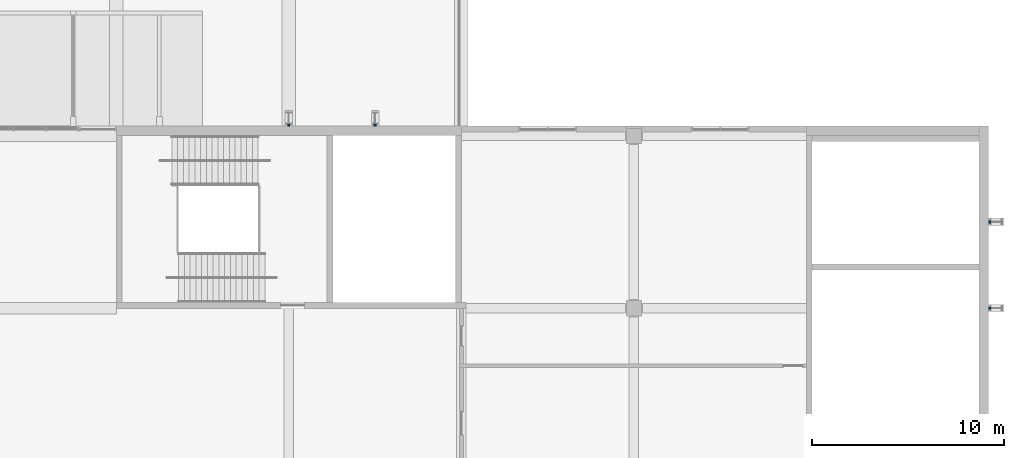
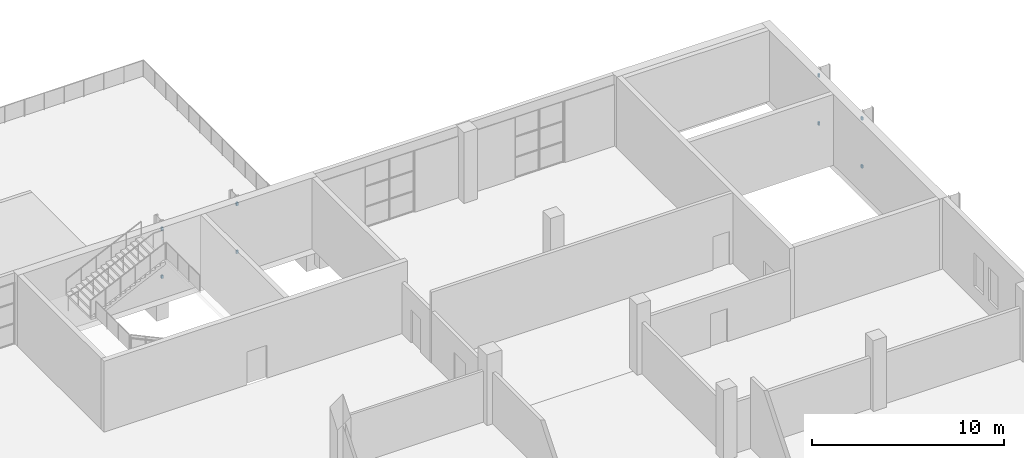
# One storey, part 137 of 168: 8 discrete accessories.
"""IFC4 building model written with IfcOpenShell, lengths in metres."""

from ifc_helpers import new_model, si_unit, direction, frame, origin, origin_2d, place, context, subcontext, project, spatial, rectangle, extrude, material, type_object, element, save


model = new_model("IFC4")

# Units and contexts
model_context = context("Model", 3, precision=1e-05, world=origin(), true_north=direction((0.0, 1.0)))
body_context = subcontext(model_context, "Body", "Model", "MODEL_VIEW")
ifc_project = project(units=[si_unit("LENGTHUNIT", "METRE"), si_unit("AREAUNIT", "SQUARE_METRE"), si_unit("VOLUMEUNIT", "CUBIC_METRE"), si_unit("PLANEANGLEUNIT", "RADIAN"), si_unit("MASSUNIT", "GRAM", prefix="KILO")], contexts=[model_context])

# Site, building, storey
site_placement = place(None, origin())
site = spatial("IfcSite", under=ifc_project, at=site_placement, CompositionType="ELEMENT")
building_placement = place(site_placement, origin())
building = spatial("IfcBuilding", under=site, at=building_placement, Name="Silverbay Arena", CompositionType="ELEMENT")
storey_placement = place(building_placement, frame((0.0, 0.0, 7.0)))
storey = spatial("IfcBuildingStorey", under=building, at=storey_placement, Name="L01", CompositionType="ELEMENT", Elevation=7.0)

# Discrete accessories
ifc_material = material(Name="Steel S355", Category="steel")
discrete_accessory_type = type_object("IfcDiscreteAccessoryType", Name="Steel bracket plate", PredefinedType="BRACKET", material=ifc_material)
for number, where, z_axis, x_axis, name in (
    (1, (234.550048828125, 135.0, 0.85009765625), (0.0, 0.0, 1.0), (1.0, 0.0, 0.0), "Fin bracket"),
    (2, (234.550048828125, 135.0, 3.89990234375), (0.0, 0.0, 1.0), (1.0, 0.0, 0.0), "Fin bracket"),
    (3, (234.550048828125, 139.5, 0.85009765625), (0.0, 0.0, 1.0), (1.0, 0.0, 0.0), "Fin bracket"),
    (4, (234.550048828125, 139.5, 3.89990234375), (0.0, 0.0, 1.0), (1.0, 0.0, 0.0), "Fin bracket"),
):
    element("IfcDiscreteAccessory", number, at=place(storey_placement, frame(where, z_axis=z_axis, x_axis=x_axis)), inside=storey, type_object=discrete_accessory_type, Name=name, PredefinedType="BRACKET", context=body_context, shape_type="SweptSolid", body=[
        extrude(rectangle(XDim=0.10009765625, YDim=0.1201171875, at=origin_2d()), origin(), (0.0, 0.0, 1.0), 0.199951171875),
    ])
for number, where, z_axis, x_axis, name in (
    (5, (198.0, 144.550048828125, 0.85009765625), (0.0, 0.0, 1.0), (1.0, 0.0, 0.0), "Fin bracket"),
    (6, (198.0, 144.550048828125, 3.89990234375), (0.0, 0.0, 1.0), (1.0, 0.0, 0.0), "Fin bracket"),
    (7, (202.5, 144.550048828125, 0.85009765625), (0.0, 0.0, 1.0), (1.0, 0.0, 0.0), "Fin bracket"),
    (8, (202.5, 144.550048828125, 3.89990234375), (0.0, 0.0, 1.0), (1.0, 0.0, 0.0), "Fin bracket"),
):
    element("IfcDiscreteAccessory", number, at=place(storey_placement, frame(where, z_axis=z_axis, x_axis=x_axis)), inside=storey, type_object=discrete_accessory_type, Name=name, PredefinedType="BRACKET", context=body_context, shape_type="SweptSolid", body=[
        extrude(rectangle(XDim=0.1201171875, YDim=0.10009765625, at=origin_2d()), origin(), (0.0, 0.0, 1.0), 0.199951171875),
    ])

save(model, "model.ifc")
